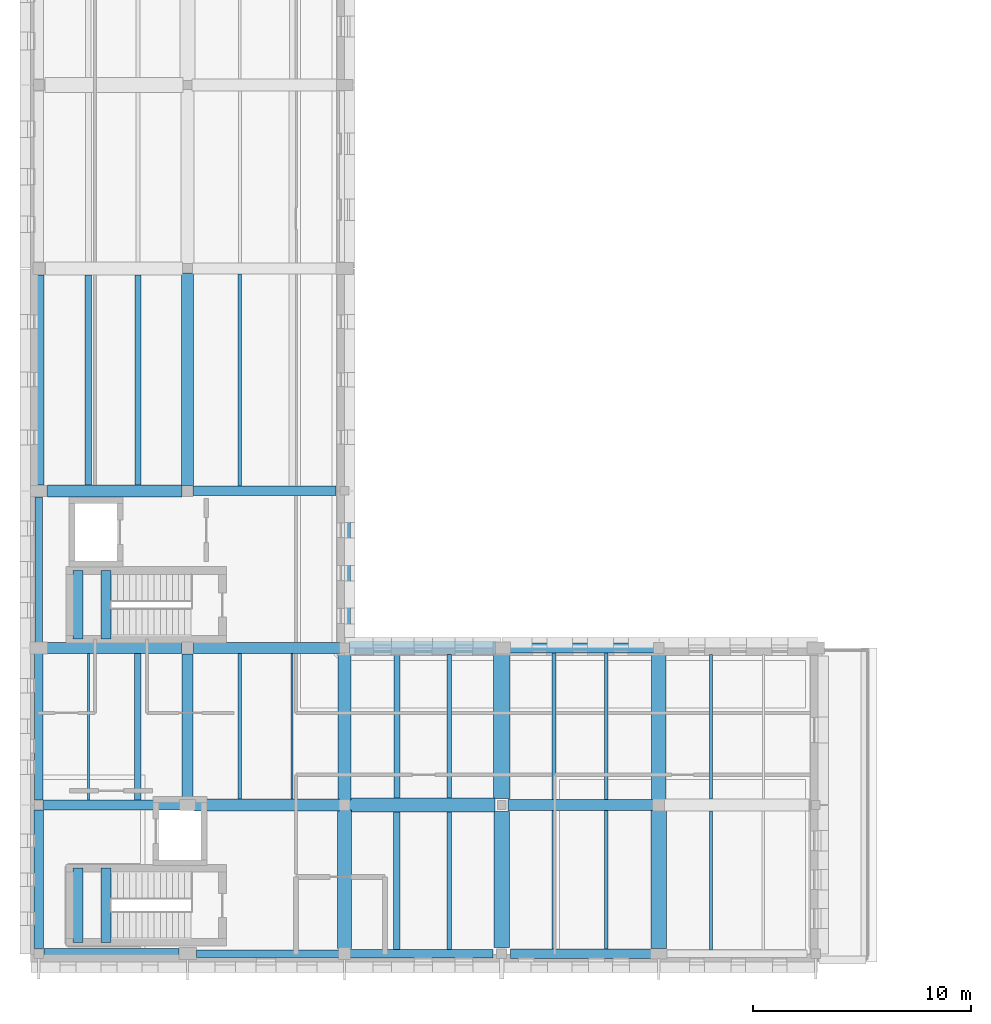
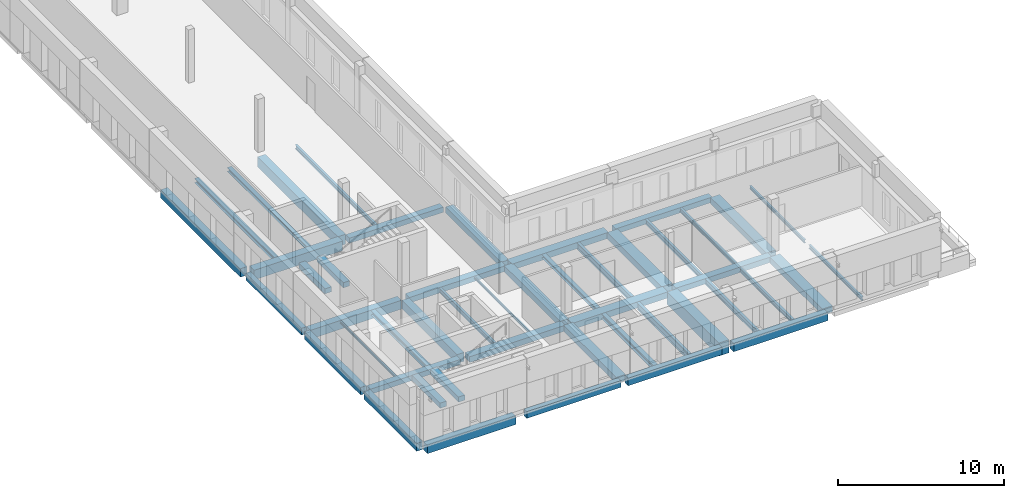
# One storey, part 5 of 34: 48 beams.
"""IFC4 building model written with IfcOpenShell, lengths in metres."""

from ifc_helpers import new_model, si_unit, direction, frame, origin, origin_2d, place, context, subcontext, project, spatial, rectangle, i_section, extrude, material, material_profile, profile_set, type_object, element, save


model = new_model("IFC4")

# Units and contexts
model_context = context("Model", 3, precision=1e-05, world=origin(), true_north=direction((0.0, 1.0)))
body_context = subcontext(model_context, "Body", "Model", "MODEL_VIEW")
ifc_project = project(units=[si_unit("LENGTHUNIT", "METRE"), si_unit("AREAUNIT", "SQUARE_METRE"), si_unit("VOLUMEUNIT", "CUBIC_METRE"), si_unit("PLANEANGLEUNIT", "RADIAN"), si_unit("MASSUNIT", "GRAM", prefix="KILO")], contexts=[model_context])

# Site, building, storey
site_placement = place(None, origin())
site = spatial("IfcSite", under=ifc_project, at=site_placement, CompositionType="ELEMENT")
building_placement = place(site_placement, origin())
building = spatial("IfcBuilding", under=site, at=building_placement, Name="Vardoun Plaza Health Centre", CompositionType="ELEMENT")
storey_placement = place(building_placement, frame((0.0, 0.0, 12.89990234375)))
storey = spatial("IfcBuildingStorey", under=building, at=storey_placement, Name="L03", CompositionType="ELEMENT", Elevation=12.89990234375)

# Beams
ifc_material_1 = material(Name="Concrete C35/45", Category="concrete")
ifc_material_profile_1 = material_profile(ifc_material_1, rectangle(XDim=0.35009765625, YDim=0.5, at=origin_2d()), Name="RC-BM 350x500")
ifc_profile_set_1 = profile_set([ifc_material_profile_1], Name="Concrete C35/45")
beam_type_1 = type_object("IfcBeamType", Name="B-08", PredefinedType="SPANDREL", material=ifc_profile_set_1)
beam_1_placement = place(storey_placement, frame((12.10009765625, 4.8798828125, -0.52978515625), z_axis=(1.0, 0.0, 0.0), x_axis=(0.0, 1.0, 0.0)))
element("IfcBeam", 1, at=beam_1_placement, inside=storey, type_object=beam_type_1, Name="V2 L03 Beam B-V2-L03-X10", PredefinedType="SPANDREL", context=body_context, shape_type="SweptSolid", body=[
    extrude(rectangle(XDim=0.35009765625, YDim=0.5, at=origin_2d()), origin(), (0.0, 0.0, 1.0), 6.5498046875),
])
beam_2_placement = place(storey_placement, frame((4.8798828125, 19.10009765625, -0.52978515625), z_axis=(0.0, 1.0, 0.0), x_axis=(-1.0, 0.0, 0.0)))
element("IfcBeam", 2, at=beam_2_placement, inside=storey, type_object=beam_type_1, Name="V2 L03 Beam B-V2-L03-Y30", PredefinedType="SPANDREL", context=body_context, shape_type="SweptSolid", body=[
    extrude(rectangle(XDim=0.35009765625, YDim=0.5, at=origin_2d()), origin(), (0.0, 0.0, 1.0), 6.724853515625),
])
ifc_material_2 = material(Name="Concrete C35/45", Category="concrete")
ifc_material_profile_2 = material_profile(ifc_material_2, rectangle(XDim=0.39990234375, YDim=0.550048828125, at=origin_2d()), Name="RC-BM 400x550")
ifc_profile_set_2 = profile_set([ifc_material_profile_2], Name="Concrete C35/45")
beam_type_2 = type_object("IfcBeamType", Name="B-09", PredefinedType="SPANDREL", material=ifc_profile_set_2)
beam_3_placement = place(storey_placement, frame((19.14990234375, 4.8798828125, -0.554931640625), z_axis=(1.0, 0.0, 0.0), x_axis=(0.0, 1.0, 0.0)))
element("IfcBeam", 3, at=beam_3_placement, inside=storey, type_object=beam_type_2, Name="V2 L03 Beam B-V2-L03-X19", PredefinedType="SPANDREL", context=body_context, shape_type="SweptSolid", body=[
    extrude(rectangle(XDim=0.39990234375, YDim=0.550048828125, at=origin_2d()), origin(), (0.0, 0.0, 1.0), 6.550048828125),
])
beam_4_placement = place(storey_placement, frame((4.8798828125, 11.925048828125, -0.554931640625), z_axis=(0.0, 1.0, 0.0), x_axis=(-1.0, 0.0, 0.0)))
element("IfcBeam", 4, at=beam_4_placement, inside=storey, type_object=beam_type_2, Name="V2 L03 Beam B-V2-L03-Y29", PredefinedType="SPANDREL", context=body_context, shape_type="SweptSolid", body=[
    extrude(rectangle(XDim=0.39990234375, YDim=0.550048828125, at=origin_2d()), origin(), (0.0, 0.0, 1.0), 6.77490234375),
])
ifc_material_3 = material(Name="Concrete C35/45", Category="concrete")
ifc_material_profile_3 = material_profile(ifc_material_3, rectangle(XDim=0.419921875, YDim=0.580078125, at=origin_2d()), Name="RC-BM 420x580")
ifc_profile_set_3 = profile_set([ifc_material_profile_3], Name="Concrete C35/45")
beam_type_3 = type_object("IfcBeamType", Name="B-10", PredefinedType="SPANDREL", material=ifc_profile_set_3)
beam_5_placement = place(storey_placement, frame((4.8798828125, 5.1298828125, -0.56982421875), z_axis=(0.0, 1.0, 0.0), x_axis=(-1.0, 0.0, 0.0)))
element("IfcBeam", 5, at=beam_5_placement, inside=storey, type_object=beam_type_3, Name="V2 L03 Beam B-V2-L03-Y28", PredefinedType="SPANDREL", context=body_context, shape_type="SweptSolid", body=[
    extrude(rectangle(XDim=0.419921875, YDim=0.580078125, at=origin_2d()), origin(), (0.0, 0.0, 1.0), 6.34521484375),
])
ifc_material_4 = material(Name="Concrete C35/45", Category="concrete")
ifc_material_profile_4 = material_profile(ifc_material_4, rectangle(XDim=0.449951171875, YDim=0.3798828125, at=origin_2d()), Name="RC-BM 450x380")
ifc_profile_set_4 = profile_set([ifc_material_profile_4], Name="Concrete C35/45")
beam_type_4 = type_object("IfcBeamType", Name="B-01", PredefinedType="BEAM", material=ifc_profile_set_4)
beam_6_placement = place(storey_placement, frame((5.10498046875, 11.699951171875, -0.469970703125), z_axis=(1.0, 0.0, 0.0), x_axis=(0.0, 1.0, 0.0)))
element("IfcBeam", 6, at=beam_6_placement, inside=storey, type_object=beam_type_4, Name="V2 L03 Beam B-V2-L03-X02", PredefinedType="BEAM", context=body_context, shape_type="SweptSolid", body=[
    extrude(rectangle(XDim=0.449951171875, YDim=0.3798828125, at=origin_2d()), origin(), (0.0, 0.0, 1.0), 6.294921875),
])
beam_7_placement = place(storey_placement, frame((11.949951171875, 26.10009765625, -0.469970703125), z_axis=(1.0, 0.0, 0.0), x_axis=(0.0, 1.0, 0.0)))
element("IfcBeam", 7, at=beam_7_placement, inside=storey, type_object=beam_type_4, Name="V2 L03 Beam B-V2-L03-X13", PredefinedType="BEAM", context=body_context, shape_type="SweptSolid", body=[
    extrude(rectangle(XDim=0.449951171875, YDim=0.3798828125, at=origin_2d()), origin(), (0.0, 0.0, 1.0), 6.550048828125),
])
beam_8_placement = place(storey_placement, frame((26.375, 18.89990234375, -0.469970703125), z_axis=(1.0, 0.0, 0.0), x_axis=(0.0, 1.0, 0.0)))
element("IfcBeam", 8, at=beam_8_placement, inside=storey, type_object=beam_type_4, Name="V2 L03 Beam B-V2-L03-X24", PredefinedType="BEAM", context=body_context, shape_type="SweptSolid", body=[
    extrude(rectangle(XDim=0.449951171875, YDim=0.3798828125, at=origin_2d()), origin(), (0.0, 0.0, 1.0), 6.72509765625),
])
for number, where, z_axis, x_axis, name in (
    (9, (6.679931640625, 5.39990234375, 1.710205078125), (0.0, 1.0, 0.0), (-1.0, 0.0, 0.0), "Stair ST-C1-L03 Landing Beam 1"),
    (10, (7.9599609375, 5.39990234375, 1.710205078125), (0.0, 1.0, 0.0), (-1.0, 0.0, 0.0), "Stair ST-C1-L03 Landing Beam 2"),
):
    element("IfcBeam", number, at=place(storey_placement, frame(where, z_axis=z_axis, x_axis=x_axis)), inside=storey, type_object=beam_type_4, Name=name, PredefinedType="BEAM", context=body_context, shape_type="SweptSolid", body=[
        extrude(rectangle(XDim=0.449951171875, YDim=0.3798828125, at=origin_2d()), origin(), (0.0, 0.0, 1.0), 3.400146484375),
    ])
for number, where, z_axis, x_axis, name in (
    (11, (6.679931640625, 19.300048828125, 1.710205078125), (0.0, 1.0, 0.0), (-1.0, 0.0, 0.0), "Stair ST-C2-L03 Landing Beam 1"),
    (12, (7.9599609375, 19.300048828125, 1.710205078125), (0.0, 1.0, 0.0), (-1.0, 0.0, 0.0), "Stair ST-C2-L03 Landing Beam 2"),
):
    element("IfcBeam", number, at=place(storey_placement, frame(where, z_axis=z_axis, x_axis=x_axis)), inside=storey, type_object=beam_type_4, Name=name, PredefinedType="BEAM", context=body_context, shape_type="SweptSolid", body=[
        extrude(rectangle(XDim=0.449951171875, YDim=0.3798828125, at=origin_2d()), origin(), (0.0, 0.0, 1.0), 3.14990234375),
    ])
ifc_material_5 = material(Name="Concrete C35/45", Category="concrete")
ifc_material_profile_5 = material_profile(ifc_material_5, rectangle(XDim=0.449951171875, YDim=0.60009765625, at=origin_2d()), Name="RC-BM 450x600")
ifc_profile_set_5 = profile_set([ifc_material_profile_5], Name="Concrete C35/45")
beam_type_5 = type_object("IfcBeamType", Name="B-11", PredefinedType="SPANDREL", material=ifc_profile_set_5)
beam_9_placement = place(storey_placement, frame((26.5, 4.8798828125, -0.579833984375), z_axis=(1.0, 0.0, 0.0), x_axis=(0.0, 1.0, 0.0)))
element("IfcBeam", 13, at=beam_9_placement, inside=storey, type_object=beam_type_5, Name="V2 L03 Beam B-V2-L03-X22", PredefinedType="SPANDREL", context=body_context, shape_type="SweptSolid", body=[
    extrude(rectangle(XDim=0.449951171875, YDim=0.60009765625, at=origin_2d()), origin(), (0.0, 0.0, 1.0), 6.550048828125),
])
ifc_material_6 = material(Name="Concrete C35/45", Category="concrete")
ifc_material_profile_6 = material_profile(ifc_material_6, rectangle(XDim=0.47998046875, YDim=0.6201171875, at=origin_2d()), Name="RC-BM 480x620")
ifc_profile_set_6 = profile_set([ifc_material_profile_6], Name="Concrete C35/45")
beam_type_6 = type_object("IfcBeamType", Name="B-12", PredefinedType="SPANDREL", material=ifc_profile_set_6)
beam_10_placement = place(storey_placement, frame((5.1298828125, 4.8798828125, -0.58984375), z_axis=(1.0, 0.0, 0.0), x_axis=(0.0, 1.0, 0.0)))
element("IfcBeam", 14, at=beam_10_placement, inside=storey, type_object=beam_type_6, Name="V2 L03 Beam B-V2-L03-X01", PredefinedType="SPANDREL", context=body_context, shape_type="SweptSolid", body=[
    extrude(rectangle(XDim=0.47998046875, YDim=0.6201171875, at=origin_2d()), origin(), (0.0, 0.0, 1.0), 6.170166015625),
])
beam_11_placement = place(storey_placement, frame((4.8798828125, 26.375, -0.58984375), z_axis=(0.0, 1.0, 0.0), x_axis=(-1.0, 0.0, 0.0)))
element("IfcBeam", 15, at=beam_11_placement, inside=storey, type_object=beam_type_6, Name="V2 L03 Beam B-V2-L03-Y31", PredefinedType="SPANDREL", context=body_context, shape_type="SweptSolid", body=[
    extrude(rectangle(XDim=0.47998046875, YDim=0.6201171875, at=origin_2d()), origin(), (0.0, 0.0, 1.0), 9.625),
])
ifc_material_7 = material(Name="Concrete C35/45", Category="concrete")
ifc_material_profile_7 = material_profile(ifc_material_7, rectangle(XDim=0.5, YDim=0.39990234375, at=origin_2d()), Name="RC-BM 500x400")
ifc_profile_set_7 = profile_set([ifc_material_profile_7], Name="Concrete C35/45")
beam_type_7 = type_object("IfcBeamType", Name="B-02", PredefinedType="BEAM", material=ifc_profile_set_7)
beam_12_placement = place(storey_placement, frame((11.97509765625, 18.89990234375, -0.47998046875), z_axis=(1.0, 0.0, 0.0), x_axis=(0.0, 1.0, 0.0)))
element("IfcBeam", 16, at=beam_12_placement, inside=storey, type_object=beam_type_7, Name="V2 L03 Beam B-V2-L03-X12", PredefinedType="BEAM", context=body_context, shape_type="SweptSolid", body=[
    extrude(rectangle(XDim=0.5, YDim=0.39990234375, at=origin_2d()), origin(), (0.0, 0.0, 1.0), 6.724853515625),
])
beam_13_placement = place(storey_placement, frame((26.39990234375, 11.699951171875, -0.47998046875), z_axis=(1.0, 0.0, 0.0), x_axis=(0.0, 1.0, 0.0)))
element("IfcBeam", 17, at=beam_13_placement, inside=storey, type_object=beam_type_7, Name="V2 L03 Beam B-V2-L03-X23", PredefinedType="BEAM", context=body_context, shape_type="SweptSolid", body=[
    extrude(rectangle(XDim=0.5, YDim=0.39990234375, at=origin_2d()), origin(), (0.0, 0.0, 1.0), 6.675048828125),
])
ifc_material_8 = material(Name="Concrete C40/50", Category="concrete")
ifc_material_profile_8 = material_profile(ifc_material_8, rectangle(XDim=0.5, YDim=0.64990234375, at=origin_2d()), Name="RC-BM 500x650")
ifc_profile_set_8 = profile_set([ifc_material_profile_8], Name="Concrete C40/50")
beam_type_8 = type_object("IfcBeamType", Name="B-13", PredefinedType="BEAM", material=ifc_profile_set_8)
beam_14_placement = place(storey_placement, frame((5.080078125, 18.89990234375, -0.60498046875), z_axis=(1.0, 0.0, 0.0), x_axis=(0.0, 1.0, 0.0)))
element("IfcBeam", 18, at=beam_14_placement, inside=storey, type_object=beam_type_8, Name="V2 L03 Beam B-V2-L03-X03", PredefinedType="BEAM", context=body_context, shape_type="SweptSolid", body=[
    extrude(rectangle(XDim=0.5, YDim=0.64990234375, at=origin_2d()), origin(), (0.0, 0.0, 1.0), 6.344970703125),
])
beam_15_placement = place(storey_placement, frame((11.699951171875, 12.0, -0.60498046875), z_axis=(0.0, 1.0, 0.0), x_axis=(-1.0, 0.0, 0.0)))
element("IfcBeam", 19, at=beam_15_placement, inside=storey, type_object=beam_type_8, Name="V2 L03 Beam B-V2-L03-Y36", PredefinedType="BEAM", context=body_context, shape_type="SweptSolid", body=[
    extrude(rectangle(XDim=0.5, YDim=0.64990234375, at=origin_2d()), origin(), (0.0, 0.0, 1.0), 6.625),
])
ifc_material_9 = material(Name="Concrete C35/45", Category="concrete")
ifc_material_profile_9 = material_profile(ifc_material_9, rectangle(XDim=0.550048828125, YDim=0.419921875, at=origin_2d()), Name="RC-BM 550x420")
ifc_profile_set_9 = profile_set([ifc_material_profile_9], Name="Concrete C35/45")
beam_type_9 = type_object("IfcBeamType", Name="B-03", PredefinedType="BEAM", material=ifc_profile_set_9)
beam_16_placement = place(storey_placement, frame((12.0, 11.699951171875, -0.489990234375), z_axis=(1.0, 0.0, 0.0), x_axis=(0.0, 1.0, 0.0)))
element("IfcBeam", 20, at=beam_16_placement, inside=storey, type_object=beam_type_9, Name="V2 L03 Beam B-V2-L03-X11", PredefinedType="BEAM", context=body_context, shape_type="SweptSolid", body=[
    extrude(rectangle(XDim=0.550048828125, YDim=0.419921875, at=origin_2d()), origin(), (0.0, 0.0, 1.0), 6.675048828125),
])
beam_17_placement = place(storey_placement, frame((18.89990234375, 19.10009765625, -0.489990234375), z_axis=(0.0, 1.0, 0.0), x_axis=(-1.0, 0.0, 0.0)))
element("IfcBeam", 21, at=beam_17_placement, inside=storey, type_object=beam_type_9, Name="V2 L03 Beam B-V2-L03-Y44", PredefinedType="BEAM", context=body_context, shape_type="SweptSolid", body=[
    extrude(rectangle(XDim=0.550048828125, YDim=0.419921875, at=origin_2d()), origin(), (0.0, 0.0, 1.0), 6.724853515625),
])
ifc_material_10 = material(Name="Concrete C40/50", Category="concrete")
ifc_material_profile_10 = material_profile(ifc_material_10, rectangle(XDim=0.550048828125, YDim=0.719970703125, at=origin_2d()), Name="RC-BM 550x720")
ifc_profile_set_10 = profile_set([ifc_material_profile_10], Name="Concrete C40/50")
beam_type_10 = type_object("IfcBeamType", Name="B-14", PredefinedType="BEAM", material=ifc_profile_set_10)
beam_18_placement = place(storey_placement, frame((5.280029296875, 26.10009765625, -0.639892578125), z_axis=(1.0, 0.0, 0.0), x_axis=(0.0, 1.0, 0.0)))
element("IfcBeam", 22, at=beam_18_placement, inside=storey, type_object=beam_type_10, Name="V2 L03 Beam B-V2-L03-X04", PredefinedType="BEAM", context=body_context, shape_type="SweptSolid", body=[
    extrude(rectangle(XDim=0.550048828125, YDim=0.719970703125, at=origin_2d()), origin(), (0.0, 0.0, 1.0), 6.169921875),
])
beam_19_placement = place(storey_placement, frame((11.699951171875, 26.35009765625, -0.639892578125), z_axis=(0.0, 1.0, 0.0), x_axis=(-1.0, 0.0, 0.0)))
element("IfcBeam", 23, at=beam_19_placement, inside=storey, type_object=beam_type_10, Name="V2 L03 Beam B-V2-L03-Y37", PredefinedType="BEAM", context=body_context, shape_type="SweptSolid", body=[
    extrude(rectangle(XDim=0.550048828125, YDim=0.719970703125, at=origin_2d()), origin(), (0.0, 0.0, 1.0), 9.724853515625),
])
ifc_material_11 = material(Name="Concrete C35/45", Category="concrete")
ifc_material_profile_11 = material_profile(ifc_material_11, rectangle(XDim=0.60009765625, YDim=0.449951171875, at=origin_2d()), Name="RC-BM 600x450")
ifc_profile_set_11 = profile_set([ifc_material_profile_11], Name="Concrete C35/45")
beam_type_11 = type_object("IfcBeamType", Name="B-04", PredefinedType="BEAM", material=ifc_profile_set_11)
beam_20_placement = place(storey_placement, frame((19.10009765625, 18.89990234375, -0.5048828125), z_axis=(1.0, 0.0, 0.0), x_axis=(0.0, 1.0, 0.0)))
element("IfcBeam", 24, at=beam_20_placement, inside=storey, type_object=beam_type_11, Name="V2 L03 Beam B-V2-L03-X21", PredefinedType="BEAM", context=body_context, shape_type="SweptSolid", body=[
    extrude(rectangle(XDim=0.60009765625, YDim=0.449951171875, at=origin_2d()), origin(), (0.0, 0.0, 1.0), 6.724853515625),
])
beam_21_placement = place(storey_placement, frame((18.89990234375, 11.925048828125, -0.5048828125), z_axis=(0.0, 1.0, 0.0), x_axis=(-1.0, 0.0, 0.0)))
element("IfcBeam", 25, at=beam_21_placement, inside=storey, type_object=beam_type_11, Name="V2 L03 Beam B-V2-L03-Y43", PredefinedType="BEAM", context=body_context, shape_type="SweptSolid", body=[
    extrude(rectangle(XDim=0.60009765625, YDim=0.449951171875, at=origin_2d()), origin(), (0.0, 0.0, 1.0), 6.77490234375),
])
ifc_material_12 = material(Name="Concrete C35/45", Category="concrete")
ifc_material_profile_12 = material_profile(ifc_material_12, rectangle(XDim=0.64990234375, YDim=0.449951171875, at=origin_2d()), Name="RC-BM 650x450")
ifc_profile_set_12 = profile_set([ifc_material_profile_12], Name="Concrete C35/45")
beam_type_12 = type_object("IfcBeamType", Name="B-05", PredefinedType="BEAM", material=ifc_profile_set_12)
beam_22_placement = place(storey_placement, frame((19.125, 11.699951171875, -0.5048828125), z_axis=(1.0, 0.0, 0.0), x_axis=(0.0, 1.0, 0.0)))
element("IfcBeam", 26, at=beam_22_placement, inside=storey, type_object=beam_type_12, Name="V2 L03 Beam B-V2-L03-X20", PredefinedType="BEAM", context=body_context, shape_type="SweptSolid", body=[
    extrude(rectangle(XDim=0.64990234375, YDim=0.449951171875, at=origin_2d()), origin(), (0.0, 0.0, 1.0), 6.675048828125),
])
beam_23_placement = place(storey_placement, frame((18.89990234375, 5.1298828125, -0.5048828125), z_axis=(0.0, 1.0, 0.0), x_axis=(-1.0, 0.0, 0.0)))
element("IfcBeam", 27, at=beam_23_placement, inside=storey, type_object=beam_type_12, Name="V2 L03 Beam B-V2-L03-Y42", PredefinedType="BEAM", context=body_context, shape_type="SweptSolid", body=[
    extrude(rectangle(XDim=0.64990234375, YDim=0.449951171875, at=origin_2d()), origin(), (0.0, 0.0, 1.0), 6.34521484375),
])
beam_24_placement = place(storey_placement, frame((33.300048828125, 11.925048828125, -0.5048828125), z_axis=(0.0, 1.0, 0.0), x_axis=(-1.0, 0.0, 0.0)))
element("IfcBeam", 28, at=beam_24_placement, inside=storey, type_object=beam_type_12, Name="V2 L03 Beam B-V2-L03-Y53", PredefinedType="BEAM", context=body_context, shape_type="SweptSolid", body=[
    extrude(rectangle(XDim=0.64990234375, YDim=0.449951171875, at=origin_2d()), origin(), (0.0, 0.0, 1.0), 6.77490234375),
])
ifc_material_13 = material(Name="Concrete C35/45", Category="concrete")
ifc_material_profile_13 = material_profile(ifc_material_13, rectangle(XDim=0.699951171875, YDim=0.449951171875, at=origin_2d()), Name="RC-BM 700x450")
ifc_profile_set_13 = profile_set([ifc_material_profile_13], Name="Concrete C35/45")
beam_type_13 = type_object("IfcBeamType", Name="B-06", PredefinedType="BEAM", material=ifc_profile_set_13)
beam_25_placement = place(storey_placement, frame((33.300048828125, 5.1298828125, -0.5048828125), z_axis=(0.0, 1.0, 0.0), x_axis=(-1.0, 0.0, 0.0)))
element("IfcBeam", 29, at=beam_25_placement, inside=storey, type_object=beam_type_13, Name="V2 L03 Beam B-V2-L03-Y52", PredefinedType="BEAM", context=body_context, shape_type="SweptSolid", body=[
    extrude(rectangle(XDim=0.699951171875, YDim=0.449951171875, at=origin_2d()), origin(), (0.0, 0.0, 1.0), 6.34521484375),
])
ifc_material_14 = material(Name="Concrete C40/50", Category="concrete")
ifc_material_profile_14 = material_profile(ifc_material_14, rectangle(XDim=0.699951171875, YDim=0.949951171875, at=origin_2d()), Name="RC-BM 700x950")
ifc_profile_set_14 = profile_set([ifc_material_profile_14], Name="Concrete C40/50")
beam_type_14 = type_object("IfcBeamType", Name="B-16", PredefinedType="LINTEL", material=ifc_profile_set_14)
beam_26_placement = place(storey_placement, frame((26.10009765625, 5.155029296875, -0.7548828125), z_axis=(0.0, 1.0, 0.0), x_axis=(-1.0, 0.0, 0.0)))
element("IfcBeam", 30, at=beam_26_placement, inside=storey, type_object=beam_type_14, Name="V2 L03 Beam B-V2-L03-Y50", PredefinedType="LINTEL", context=body_context, shape_type="SweptSolid", body=[
    extrude(rectangle(XDim=0.699951171875, YDim=0.949951171875, at=origin_2d()), origin(), (0.0, 0.0, 1.0), 6.244873046875),
])
ifc_material_15 = material(Name="Concrete C35/45", Category="concrete")
ifc_material_profile_15 = material_profile(ifc_material_15, rectangle(XDim=0.75, YDim=0.47998046875, at=origin_2d()), Name="RC-BM 750x480")
ifc_profile_set_15 = profile_set([ifc_material_profile_15], Name="Concrete C35/45")
beam_type_15 = type_object("IfcBeamType", Name="B-07", PredefinedType="BEAM", material=ifc_profile_set_15)
beam_27_placement = place(storey_placement, frame((26.10009765625, 12.0, -0.52001953125), z_axis=(0.0, 1.0, 0.0), x_axis=(-1.0, 0.0, 0.0)))
element("IfcBeam", 31, at=beam_27_placement, inside=storey, type_object=beam_type_15, Name="V2 L03 Beam B-V2-L03-Y51", PredefinedType="BEAM", context=body_context, shape_type="SweptSolid", body=[
    extrude(rectangle(XDim=0.75, YDim=0.47998046875, at=origin_2d()), origin(), (0.0, 0.0, 1.0), 6.625),
])
ifc_material_16 = material(Name="Steel S355J2", Category="steel")
ifc_material_profile_16 = material_profile(ifc_material_16, i_section(OverallWidth=0.300048828125, OverallDepth=0.330078125, WebThickness=0.009521484375, FlangeThickness=0.0166015625, FilletRadius=0.027099609375, at=origin_2d()), Name="HEA 340")
ifc_profile_set_16 = profile_set([ifc_material_profile_16], Name="Steel S355J2")
beam_type_16 = type_object("IfcBeamType", Name="SB-04", PredefinedType="BEAM", material=ifc_profile_set_16)
beam_28_placement = place(storey_placement, frame((7.153076171875, 26.375, -0.44482421875), z_axis=(0.0, 1.0, 0.0), x_axis=(-1.0, 0.0, 0.0)))
element("IfcBeam", 32, at=beam_28_placement, inside=storey, type_object=beam_type_16, Name="V2 L03 Secondary Floor Beam SJ-V2-L03-02", PredefinedType="BEAM", context=body_context, shape_type="SweptSolid", body=[
    extrude(i_section(OverallWidth=0.300048828125, OverallDepth=0.330078125, WebThickness=0.009521484375, FlangeThickness=0.0166015625, FilletRadius=0.027099609375, at=origin_2d()), origin(), (0.0, 0.0, 1.0), 9.625),
])
ifc_material_17 = material(Name="Steel S355J2", Category="steel")
ifc_material_profile_17 = material_profile(ifc_material_17, i_section(OverallWidth=0.280029296875, OverallDepth=0.280029296875, WebThickness=0.010498046875, FlangeThickness=0.01806640625, FilletRadius=0.02392578125, at=origin_2d()), Name="HEB 280")
ifc_profile_set_17 = profile_set([ifc_material_profile_17], Name="Steel S355J2")
beam_type_17 = type_object("IfcBeamType", Name="SB-02", PredefinedType="BEAM", material=ifc_profile_set_17)
beam_29_placement = place(storey_placement, frame((9.427001953125, 26.375, -0.419921875), z_axis=(0.0, 1.0, 0.0), x_axis=(-1.0, 0.0, 0.0)))
element("IfcBeam", 33, at=beam_29_placement, inside=storey, type_object=beam_type_17, Name="V2 L03 Secondary Floor Beam SJ-V2-L03-08", PredefinedType="BEAM", context=body_context, shape_type="SweptSolid", body=[
    extrude(i_section(OverallWidth=0.280029296875, OverallDepth=0.280029296875, WebThickness=0.010498046875, FlangeThickness=0.01806640625, FilletRadius=0.02392578125, at=origin_2d()), origin(), (0.0, 0.0, 1.0), 9.625),
])
beam_30_placement = place(storey_placement, frame((21.2998046875, 12.02490234375, -0.419921875), z_axis=(0.0, 1.0, 0.0), x_axis=(-1.0, 0.0, 0.0)))
element("IfcBeam", 34, at=beam_30_placement, inside=storey, type_object=beam_type_17, Name="V2 L03 Secondary Floor Beam SJ-V2-L03-26", PredefinedType="BEAM", context=body_context, shape_type="SweptSolid", body=[
    extrude(i_section(OverallWidth=0.280029296875, OverallDepth=0.280029296875, WebThickness=0.010498046875, FlangeThickness=0.01806640625, FilletRadius=0.02392578125, at=origin_2d()), origin(), (0.0, 0.0, 1.0), 6.5751953125),
])
ifc_material_18 = material(Name="Steel S355J2", Category="steel")
ifc_material_profile_18 = material_profile(ifc_material_18, i_section(OverallWidth=0.300048828125, OverallDepth=0.360107421875, WebThickness=0.012451171875, FlangeThickness=0.0224609375, FilletRadius=0.027099609375, at=origin_2d()), Name="HEB 360")
ifc_profile_set_18 = profile_set([ifc_material_profile_18], Name="Steel S355J2")
beam_type_18 = type_object("IfcBeamType", Name="RB-04", PredefinedType="BEAM", material=ifc_profile_set_18)
beam_31_placement = place(storey_placement, frame((9.427001953125, 11.925048828125, -0.4599609375), z_axis=(0.0, 1.0, 0.0), x_axis=(-1.0, 0.0, 0.0)))
element("IfcBeam", 35, at=beam_31_placement, inside=storey, type_object=beam_type_18, Name="V2 L03 Secondary Floor Beam SJ-V2-L03-07", PredefinedType="BEAM", context=body_context, shape_type="SweptSolid", body=[
    extrude(i_section(OverallWidth=0.300048828125, OverallDepth=0.360107421875, WebThickness=0.012451171875, FlangeThickness=0.0224609375, FilletRadius=0.027099609375, at=origin_2d()), origin(), (0.0, 0.0, 1.0), 6.724853515625),
])
beam_32_placement = place(storey_placement, frame((21.2998046875, 5.080078125, -0.4599609375), z_axis=(0.0, 1.0, 0.0), x_axis=(-1.0, 0.0, 0.0)))
element("IfcBeam", 36, at=beam_32_placement, inside=storey, type_object=beam_type_18, Name="V2 L03 Secondary Floor Beam SJ-V2-L03-25", PredefinedType="BEAM", context=body_context, shape_type="SweptSolid", body=[
    extrude(i_section(OverallWidth=0.300048828125, OverallDepth=0.360107421875, WebThickness=0.012451171875, FlangeThickness=0.0224609375, FilletRadius=0.027099609375, at=origin_2d()), origin(), (0.0, 0.0, 1.0), 6.294921875),
])
ifc_material_19 = material(Name="Steel S355J2", Category="steel")
ifc_material_profile_19 = material_profile(ifc_material_19, i_section(OverallWidth=0.091064453125, OverallDepth=0.179931640625, WebThickness=0.00537109375, FlangeThickness=0.008056640625, FilletRadius=0.009033203125, at=origin_2d()), Name="IPE 180")
ifc_profile_set_19 = profile_set([ifc_material_profile_19], Name="Steel S355J2")
beam_type_19 = type_object("IfcBeamType", Name="SB-20", PredefinedType="SPANDREL", material=ifc_profile_set_19)
beam_33_placement = place(storey_placement, frame((7.153076171875, 11.925048828125, -0.369873046875), z_axis=(0.0, 1.0, 0.0), x_axis=(-1.0, 0.0, 0.0)))
element("IfcBeam", 37, at=beam_33_placement, inside=storey, type_object=beam_type_19, Name="V2 L03 Secondary Floor Beam SJ-V2-L03-01", PredefinedType="SPANDREL", context=body_context, shape_type="SweptSolid", body=[
    extrude(i_section(OverallWidth=0.091064453125, OverallDepth=0.179931640625, WebThickness=0.00537109375, FlangeThickness=0.008056640625, FilletRadius=0.009033203125, at=origin_2d()), origin(), (0.0, 0.0, 1.0), 6.724853515625),
])
beam_34_placement = place(storey_placement, frame((16.500244140625, 11.97509765625, -0.369873046875), z_axis=(0.0, 1.0, 0.0), x_axis=(-1.0, 0.0, 0.0)))
element("IfcBeam", 38, at=beam_34_placement, inside=storey, type_object=beam_type_19, Name="V2 L03 Secondary Floor Beam SJ-V2-L03-19", PredefinedType="SPANDREL", context=body_context, shape_type="SweptSolid", body=[
    extrude(i_section(OverallWidth=0.091064453125, OverallDepth=0.179931640625, WebThickness=0.00537109375, FlangeThickness=0.008056640625, FilletRadius=0.009033203125, at=origin_2d()), origin(), (0.0, 0.0, 1.0), 6.6748046875),
])
ifc_material_20 = material(Name="Steel S355J2", Category="steel")
ifc_material_profile_20 = material_profile(ifc_material_20, i_section(OverallWidth=0.1201171875, OverallDepth=0.239990234375, WebThickness=0.006103515625, FlangeThickness=0.009765625, FilletRadius=0.014892578125, at=origin_2d()), Name="IPE 240")
ifc_profile_set_20 = profile_set([ifc_material_profile_20], Name="Steel S355J2")
beam_type_20 = type_object("IfcBeamType", Name="SB-17", PredefinedType="JOIST", material=ifc_profile_set_20)
beam_35_placement = place(storey_placement, frame((35.69970703125, 11.97509765625, -0.39990234375), z_axis=(0.0, 1.0, 0.0), x_axis=(-1.0, 0.0, 0.0)))
element("IfcBeam", 39, at=beam_35_placement, inside=storey, type_object=beam_type_20, Name="V2 L03 Secondary Floor Beam SJ-V2-L03-34", PredefinedType="JOIST", context=body_context, shape_type="SweptSolid", body=[
    extrude(i_section(OverallWidth=0.1201171875, OverallDepth=0.239990234375, WebThickness=0.006103515625, FlangeThickness=0.009765625, FilletRadius=0.014892578125, at=origin_2d()), origin(), (0.0, 0.0, 1.0), 6.625),
])
ifc_material_21 = material(Name="Steel S355J2", Category="steel")
ifc_material_profile_21 = material_profile(ifc_material_21, i_section(OverallWidth=0.135009765625, OverallDepth=0.27001953125, WebThickness=0.006591796875, FlangeThickness=0.01025390625, FilletRadius=0.014892578125, at=origin_2d()), Name="IPE 270")
ifc_profile_set_21 = profile_set([ifc_material_profile_21], Name="Steel S355J2")
beam_type_21 = type_object("IfcBeamType", Name="SB-16", PredefinedType="JOIST", material=ifc_profile_set_21)
beam_36_placement = place(storey_placement, frame((35.69970703125, 5.054931640625, -0.414794921875), z_axis=(0.0, 1.0, 0.0), x_axis=(-1.0, 0.0, 0.0)))
element("IfcBeam", 40, at=beam_36_placement, inside=storey, type_object=beam_type_21, Name="V2 L03 Secondary Floor Beam SJ-V2-L03-33", PredefinedType="JOIST", context=body_context, shape_type="SweptSolid", body=[
    extrude(i_section(OverallWidth=0.135009765625, OverallDepth=0.27001953125, WebThickness=0.006591796875, FlangeThickness=0.01025390625, FilletRadius=0.014892578125, at=origin_2d()), origin(), (0.0, 0.0, 1.0), 6.3701171875),
])
ifc_material_22 = material(Name="Steel S355J2", Category="steel")
ifc_material_profile_22 = material_profile(ifc_material_22, i_section(OverallWidth=0.14990234375, OverallDepth=0.300048828125, WebThickness=0.007080078125, FlangeThickness=0.0107421875, FilletRadius=0.014892578125, at=origin_2d()), Name="IPE 300")
ifc_profile_set_22 = profile_set([ifc_material_profile_22], Name="Steel S355J2")
beam_type_22 = type_object("IfcBeamType", Name="SB-15", PredefinedType="JOIST", material=ifc_profile_set_22)
beam_37_placement = place(storey_placement, frame((14.099853515625, 26.324951171875, -0.429931640625), z_axis=(0.0, 1.0, 0.0), x_axis=(-1.0, 0.0, 0.0)))
element("IfcBeam", 41, at=beam_37_placement, inside=storey, type_object=beam_type_22, Name="V2 L03 Secondary Floor Beam SJ-V2-L03-14", PredefinedType="JOIST", context=body_context, shape_type="SweptSolid", body=[
    extrude(i_section(OverallWidth=0.14990234375, OverallDepth=0.300048828125, WebThickness=0.007080078125, FlangeThickness=0.0107421875, FilletRadius=0.014892578125, at=origin_2d()), origin(), (0.0, 0.0, 1.0), 9.72509765625),
])
beam_38_placement = place(storey_placement, frame((30.900146484375, 11.949951171875, -0.429931640625), z_axis=(0.0, 1.0, 0.0), x_axis=(-1.0, 0.0, 0.0)))
element("IfcBeam", 42, at=beam_38_placement, inside=storey, type_object=beam_type_22, Name="V2 L03 Secondary Floor Beam SJ-V2-L03-32", PredefinedType="JOIST", context=body_context, shape_type="SweptSolid", body=[
    extrude(i_section(OverallWidth=0.14990234375, OverallDepth=0.300048828125, WebThickness=0.007080078125, FlangeThickness=0.0107421875, FilletRadius=0.014892578125, at=origin_2d()), origin(), (0.0, 0.0, 1.0), 6.72509765625),
])
ifc_material_23 = material(Name="Steel S355J2", Category="steel")
ifc_material_profile_23 = material_profile(ifc_material_23, i_section(OverallWidth=0.159912109375, OverallDepth=0.330078125, WebThickness=0.007568359375, FlangeThickness=0.011474609375, FilletRadius=0.01806640625, at=origin_2d()), Name="IPE 330")
ifc_profile_set_23 = profile_set([ifc_material_profile_23], Name="Steel S355J2")
beam_type_23 = type_object("IfcBeamType", Name="SB-14", PredefinedType="JOIST", material=ifc_profile_set_23)
beam_39_placement = place(storey_placement, frame((14.099853515625, 11.97509765625, -0.44482421875), z_axis=(0.0, 1.0, 0.0), x_axis=(-1.0, 0.0, 0.0)))
element("IfcBeam", 43, at=beam_39_placement, inside=storey, type_object=beam_type_23, Name="V2 L03 Secondary Floor Beam SJ-V2-L03-13", PredefinedType="JOIST", context=body_context, shape_type="SweptSolid", body=[
    extrude(i_section(OverallWidth=0.159912109375, OverallDepth=0.330078125, WebThickness=0.007568359375, FlangeThickness=0.011474609375, FilletRadius=0.01806640625, at=origin_2d()), origin(), (0.0, 0.0, 1.0), 6.6748046875),
])
beam_40_placement = place(storey_placement, frame((30.900146484375, 5.10498046875, -0.44482421875), z_axis=(0.0, 1.0, 0.0), x_axis=(-1.0, 0.0, 0.0)))
element("IfcBeam", 44, at=beam_40_placement, inside=storey, type_object=beam_type_23, Name="V2 L03 Secondary Floor Beam SJ-V2-L03-31", PredefinedType="JOIST", context=body_context, shape_type="SweptSolid", body=[
    extrude(i_section(OverallWidth=0.159912109375, OverallDepth=0.330078125, WebThickness=0.007568359375, FlangeThickness=0.011474609375, FilletRadius=0.01806640625, at=origin_2d()), origin(), (0.0, 0.0, 1.0), 6.344970703125),
])
ifc_material_24 = material(Name="Steel S355J2", Category="steel")
ifc_material_profile_24 = material_profile(ifc_material_24, i_section(OverallWidth=0.169921875, OverallDepth=0.360107421875, WebThickness=0.008056640625, FlangeThickness=0.0126953125, FilletRadius=0.01806640625, at=origin_2d()), Name="IPE 360")
ifc_profile_set_24 = profile_set([ifc_material_profile_24], Name="Steel S355J2")
beam_type_24 = type_object("IfcBeamType", Name="SB-13", PredefinedType="JOIST", material=ifc_profile_set_24)
beam_41_placement = place(storey_placement, frame((28.499755859375, 11.949951171875, -0.4599609375), z_axis=(0.0, 1.0, 0.0), x_axis=(-1.0, 0.0, 0.0)))
element("IfcBeam", 45, at=beam_41_placement, inside=storey, type_object=beam_type_24, Name="V2 L03 Secondary Floor Beam SJ-V2-L03-30", PredefinedType="JOIST", context=body_context, shape_type="SweptSolid", body=[
    extrude(i_section(OverallWidth=0.169921875, OverallDepth=0.360107421875, WebThickness=0.008056640625, FlangeThickness=0.0126953125, FilletRadius=0.01806640625, at=origin_2d()), origin(), (0.0, 0.0, 1.0), 6.72509765625),
])
ifc_material_25 = material(Name="Steel S355J2", Category="steel")
ifc_material_profile_25 = material_profile(ifc_material_25, i_section(OverallWidth=0.179931640625, OverallDepth=0.39990234375, WebThickness=0.008544921875, FlangeThickness=0.013427734375, FilletRadius=0.02099609375, at=origin_2d()), Name="IPE 400")
ifc_profile_set_25 = profile_set([ifc_material_profile_25], Name="Steel S355J2")
beam_type_25 = type_object("IfcBeamType", Name="SB-12", PredefinedType="BEAM", material=ifc_profile_set_25)
beam_42_placement = place(storey_placement, frame((28.499755859375, 5.10498046875, -0.47998046875), z_axis=(0.0, 1.0, 0.0), x_axis=(-1.0, 0.0, 0.0)))
element("IfcBeam", 46, at=beam_42_placement, inside=storey, type_object=beam_type_25, Name="V2 L03 Secondary Floor Beam SJ-V2-L03-29", PredefinedType="BEAM", context=body_context, shape_type="SweptSolid", body=[
    extrude(i_section(OverallWidth=0.179931640625, OverallDepth=0.39990234375, WebThickness=0.008544921875, FlangeThickness=0.013427734375, FilletRadius=0.02099609375, at=origin_2d()), origin(), (0.0, 0.0, 1.0), 6.344970703125),
])
ifc_material_26 = material(Name="Steel S355J2", Category="steel")
ifc_material_profile_26 = material_profile(ifc_material_26, i_section(OverallWidth=0.18994140625, OverallDepth=0.449951171875, WebThickness=0.009521484375, FlangeThickness=0.0146484375, FilletRadius=0.02099609375, at=origin_2d()), Name="IPE 450")
ifc_profile_set_26 = profile_set([ifc_material_profile_26], Name="Steel S355J2")
beam_type_26 = type_object("IfcBeamType", Name="SB-11", PredefinedType="BEAM", material=ifc_profile_set_26)
beam_43_placement = place(storey_placement, frame((23.7001953125, 12.02490234375, -0.5048828125), z_axis=(0.0, 1.0, 0.0), x_axis=(-1.0, 0.0, 0.0)))
element("IfcBeam", 47, at=beam_43_placement, inside=storey, type_object=beam_type_26, Name="V2 L03 Secondary Floor Beam SJ-V2-L03-28", PredefinedType="BEAM", context=body_context, shape_type="SweptSolid", body=[
    extrude(i_section(OverallWidth=0.18994140625, OverallDepth=0.449951171875, WebThickness=0.009521484375, FlangeThickness=0.0146484375, FilletRadius=0.02099609375, at=origin_2d()), origin(), (0.0, 0.0, 1.0), 6.5751953125),
])
ifc_material_27 = material(Name="Steel S355J2", Category="steel")
ifc_material_profile_27 = material_profile(ifc_material_27, i_section(OverallWidth=0.199951171875, OverallDepth=0.5, WebThickness=0.01025390625, FlangeThickness=0.01611328125, FilletRadius=0.02099609375, at=origin_2d()), Name="IPE 500")
ifc_profile_set_27 = profile_set([ifc_material_profile_27], Name="Steel S355J2")
beam_type_27 = type_object("IfcBeamType", Name="SB-10", PredefinedType="BEAM", material=ifc_profile_set_27)
beam_44_placement = place(storey_placement, frame((23.7001953125, 5.080078125, -0.52978515625), z_axis=(0.0, 1.0, 0.0), x_axis=(-1.0, 0.0, 0.0)))
element("IfcBeam", 48, at=beam_44_placement, inside=storey, type_object=beam_type_27, Name="V2 L03 Secondary Floor Beam SJ-V2-L03-27", PredefinedType="BEAM", context=body_context, shape_type="SweptSolid", body=[
    extrude(i_section(OverallWidth=0.199951171875, OverallDepth=0.5, WebThickness=0.01025390625, FlangeThickness=0.01611328125, FilletRadius=0.02099609375, at=origin_2d()), origin(), (0.0, 0.0, 1.0), 6.294921875),
])

save(model, "model.ifc")
